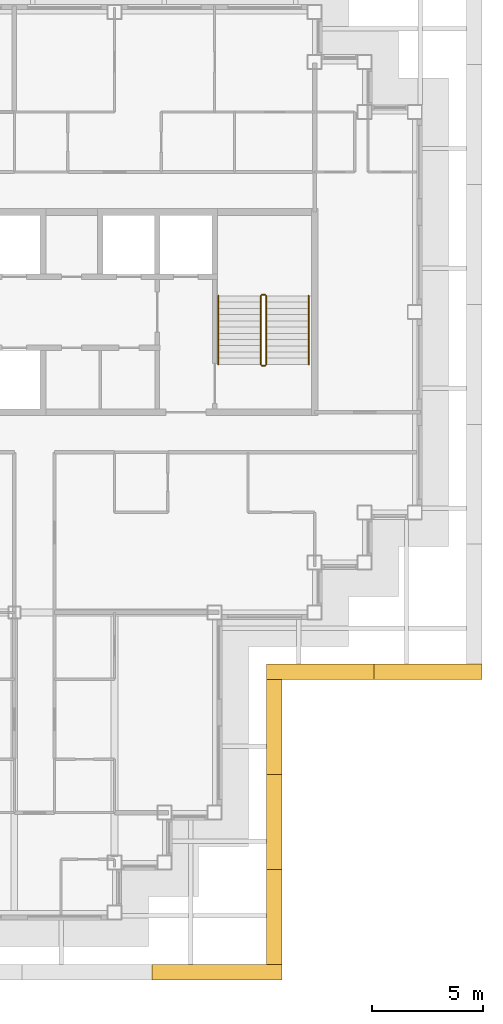
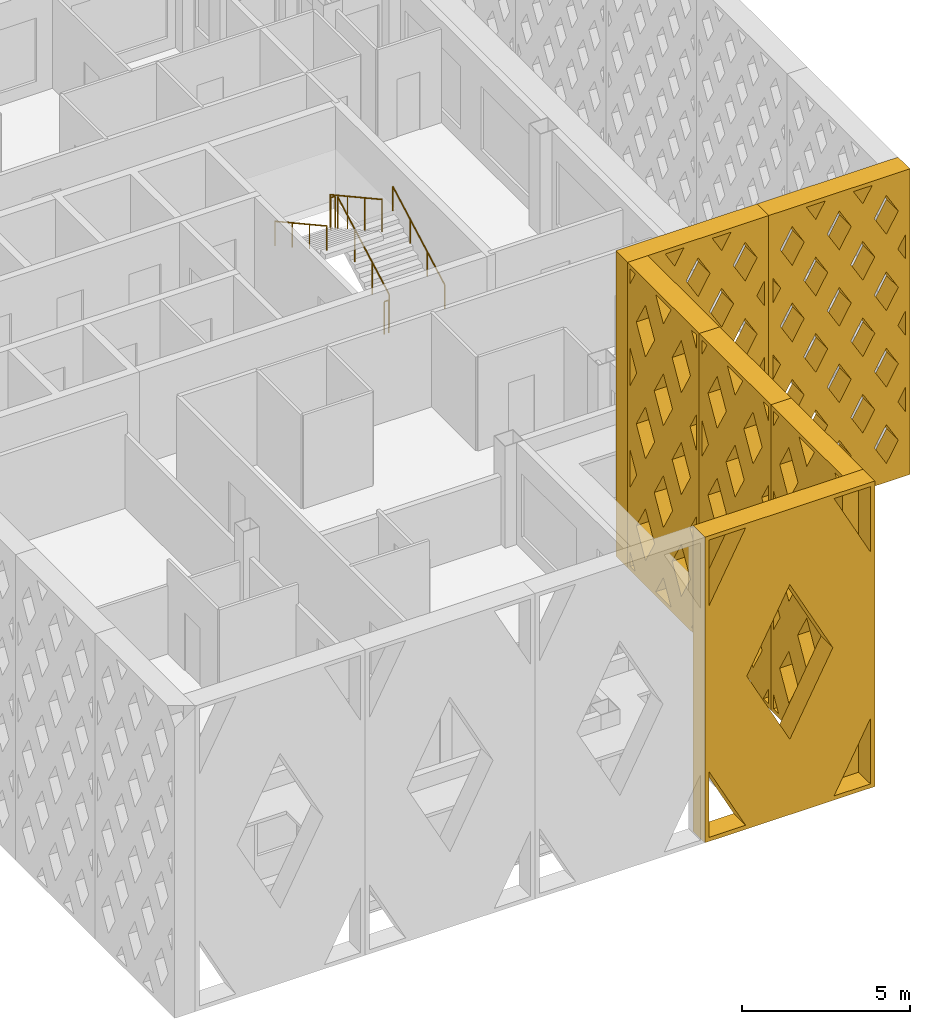
# One storey, part 14 of 17: 6 railings, 6 shading devices.
"""IFC4 building model written with IfcOpenShell, lengths in metres."""

from ifc_helpers import new_model, si_unit, direction, frame, origin, origin_2d, place, context, subcontext, project, spatial, polyline, circle, outline, extrude, material, type_object, element, save


model = new_model("IFC4")

# Units and contexts
model_context = context("Model", 3, precision=1e-05, world=origin(), true_north=direction((0.0, 1.0)))
body_context = subcontext(model_context, "Body", "Model", "MODEL_VIEW")
ifc_project = project(units=[si_unit("LENGTHUNIT", "METRE"), si_unit("AREAUNIT", "SQUARE_METRE"), si_unit("VOLUMEUNIT", "CUBIC_METRE"), si_unit("PLANEANGLEUNIT", "RADIAN"), si_unit("MASSUNIT", "GRAM", prefix="KILO")], contexts=[model_context])

# Site, building, storey
site_placement = place(None, origin())
site = spatial("IfcSite", under=ifc_project, at=site_placement, CompositionType="ELEMENT")
building_placement = place(site_placement, origin())
building = spatial("IfcBuilding", under=site, at=building_placement, Name="Caravel Reach Hotel and Residences", CompositionType="ELEMENT")
storey_placement = place(building_placement, frame((0.0, 0.0, 222.0)))
storey = spatial("IfcBuildingStorey", under=building, at=storey_placement, Name="L56", CompositionType="ELEMENT", Elevation=222.0)

# Shading devices
ifc_material_1 = material(Name="Black powder-coated aluminium", Category="aluminium")
shading_device_type_1 = type_object("IfcShadingDeviceType", Name="Diamond lattice screen panel 4267 x 11100", PredefinedType="USERDEFINED", material=ifc_material_1)
shading_device_1_placement = place(storey_placement, frame((42.824951171875, -2.324951171875, 0.0), z_axis=(1.0, 0.0, 0.0), x_axis=(0.0, 1.0, 0.0)))
element("IfcShadingDevice", 1, at=shading_device_1_placement, inside=storey, type_object=shading_device_type_1, Name="Lattice screen L56-L58 1.1", ObjectType="SCREEN", PredefinedType="USERDEFINED", context=body_context, shape_type="SweptSolid", body=[
    extrude(outline(polyline([(0.0, 0.0), (4.2666015625, 0.0), (4.2666015625, 11.10009765625), (0.0, 11.10009765625), (0.0, 0.0)]), holes=[polyline([(0.45947265625, 0.14990234375), (0.14990234375, 0.6865234375), (0.14990234375, 0.14990234375), (0.45947265625, 0.14990234375)]), polyline([(0.5458984375, 3.699951171875), (0.14990234375, 4.386474609375), (0.14990234375, 3.013427734375), (0.5458984375, 3.699951171875)]), polyline([(0.5458984375, 7.39990234375), (0.14990234375, 8.086669921875), (0.14990234375, 6.71337890625), (0.5458984375, 7.39990234375)]), polyline([(0.14990234375, 10.413330078125), (0.45947265625, 10.949951171875), (0.14990234375, 10.949951171875), (0.14990234375, 10.413330078125)]), polyline([(1.066650390625, 2.796630859375), (0.520751953125, 1.85009765625), (1.066650390625, 0.9033203125), (1.612548828125, 1.85009765625), (1.066650390625, 2.796630859375)]), polyline([(1.066650390625, 6.496826171875), (0.520751953125, 5.550048828125), (1.066650390625, 4.603271484375), (1.612548828125, 5.550048828125), (1.066650390625, 6.496826171875)]), polyline([(1.066650390625, 10.19677734375), (0.520751953125, 9.25), (1.066650390625, 8.30322265625), (1.612548828125, 9.25), (1.066650390625, 10.19677734375)]), polyline([(2.13330078125, 0.94677734375), (1.674072265625, 0.14990234375), (2.5927734375, 0.14990234375), (2.13330078125, 0.94677734375)]), polyline([(2.13330078125, 4.646728515625), (1.58740234375, 3.699951171875), (2.13330078125, 2.753173828125), (2.67919921875, 3.699951171875), (2.13330078125, 4.646728515625)]), polyline([(2.13330078125, 8.3466796875), (1.58740234375, 7.39990234375), (2.13330078125, 6.453369140625), (2.67919921875, 7.39990234375), (2.13330078125, 8.3466796875)]), polyline([(2.13330078125, 10.1533203125), (2.5927734375, 10.949951171875), (1.674072265625, 10.949951171875), (2.13330078125, 10.1533203125)]), polyline([(3.199951171875, 2.796630859375), (2.654052734375, 1.85009765625), (3.199951171875, 0.9033203125), (3.745849609375, 1.85009765625), (3.199951171875, 2.796630859375)]), polyline([(3.199951171875, 6.496826171875), (2.654052734375, 5.550048828125), (3.199951171875, 4.603271484375), (3.745849609375, 5.550048828125), (3.199951171875, 6.496826171875)]), polyline([(3.199951171875, 10.19677734375), (2.654052734375, 9.25), (3.199951171875, 8.30322265625), (3.745849609375, 9.25), (3.199951171875, 10.19677734375)]), polyline([(4.11669921875, 0.6865234375), (3.807373046875, 0.14990234375), (4.11669921875, 0.14990234375), (4.11669921875, 0.6865234375)]), polyline([(3.720703125, 3.699951171875), (4.11669921875, 3.013427734375), (4.11669921875, 4.386474609375), (3.720703125, 3.699951171875)]), polyline([(3.720703125, 7.39990234375), (4.11669921875, 6.71337890625), (4.11669921875, 8.086669921875), (3.720703125, 7.39990234375)]), polyline([(3.807373046875, 10.949951171875), (4.11669921875, 10.413330078125), (4.11669921875, 10.949951171875), (3.807373046875, 10.949951171875)])]), origin(), (0.0, 0.0, 1.0), 0.699951171875),
])
shading_device_2_placement = place(storey_placement, frame((42.824951171875, 1.941650390625, 0.0), z_axis=(1.0, 0.0, 0.0), x_axis=(0.0, 1.0, 0.0)))
element("IfcShadingDevice", 2, at=shading_device_2_placement, inside=storey, type_object=shading_device_type_1, Name="Lattice screen L56-L58 1.2", ObjectType="SCREEN", PredefinedType="USERDEFINED", context=body_context, shape_type="SweptSolid", body=[
    extrude(outline(polyline([(0.0, 0.0), (4.2666015625, 0.0), (4.2666015625, 11.10009765625), (0.0, 11.10009765625), (0.0, 0.0)]), holes=[polyline([(0.45947265625, 0.14990234375), (0.14990234375, 0.6865234375), (0.14990234375, 0.14990234375), (0.45947265625, 0.14990234375)]), polyline([(0.5458984375, 3.699951171875), (0.14990234375, 4.386474609375), (0.14990234375, 3.013427734375), (0.5458984375, 3.699951171875)]), polyline([(0.5458984375, 7.39990234375), (0.14990234375, 8.086669921875), (0.14990234375, 6.71337890625), (0.5458984375, 7.39990234375)]), polyline([(0.14990234375, 10.413330078125), (0.45947265625, 10.949951171875), (0.14990234375, 10.949951171875), (0.14990234375, 10.413330078125)]), polyline([(1.066650390625, 2.796630859375), (0.520751953125, 1.85009765625), (1.066650390625, 0.9033203125), (1.612548828125, 1.85009765625), (1.066650390625, 2.796630859375)]), polyline([(1.066650390625, 6.496826171875), (0.520751953125, 5.550048828125), (1.066650390625, 4.603271484375), (1.612548828125, 5.550048828125), (1.066650390625, 6.496826171875)]), polyline([(1.066650390625, 10.19677734375), (0.520751953125, 9.25), (1.066650390625, 8.30322265625), (1.612548828125, 9.25), (1.066650390625, 10.19677734375)]), polyline([(2.13330078125, 0.94677734375), (1.674072265625, 0.14990234375), (2.5927734375, 0.14990234375), (2.13330078125, 0.94677734375)]), polyline([(2.13330078125, 4.646728515625), (1.58740234375, 3.699951171875), (2.13330078125, 2.753173828125), (2.67919921875, 3.699951171875), (2.13330078125, 4.646728515625)]), polyline([(2.13330078125, 8.3466796875), (1.58740234375, 7.39990234375), (2.13330078125, 6.453369140625), (2.67919921875, 7.39990234375), (2.13330078125, 8.3466796875)]), polyline([(2.13330078125, 10.1533203125), (2.5927734375, 10.949951171875), (1.674072265625, 10.949951171875), (2.13330078125, 10.1533203125)]), polyline([(3.199951171875, 2.796630859375), (2.654052734375, 1.85009765625), (3.199951171875, 0.9033203125), (3.745849609375, 1.85009765625), (3.199951171875, 2.796630859375)]), polyline([(3.199951171875, 6.496826171875), (2.654052734375, 5.550048828125), (3.199951171875, 4.603271484375), (3.745849609375, 5.550048828125), (3.199951171875, 6.496826171875)]), polyline([(3.199951171875, 10.19677734375), (2.654052734375, 9.25), (3.199951171875, 8.30322265625), (3.745849609375, 9.25), (3.199951171875, 10.19677734375)]), polyline([(4.11669921875, 0.6865234375), (3.807373046875, 0.14990234375), (4.11669921875, 0.14990234375), (4.11669921875, 0.6865234375)]), polyline([(3.720703125, 3.699951171875), (4.11669921875, 3.013427734375), (4.11669921875, 4.386474609375), (3.720703125, 3.699951171875)]), polyline([(3.720703125, 7.39990234375), (4.11669921875, 6.71337890625), (4.11669921875, 8.086669921875), (3.720703125, 7.39990234375)]), polyline([(3.807373046875, 10.949951171875), (4.11669921875, 10.413330078125), (4.11669921875, 10.949951171875), (3.807373046875, 10.949951171875)])]), origin(), (0.0, 0.0, 1.0), 0.699951171875),
])
shading_device_3_placement = place(storey_placement, frame((42.824951171875, 6.208251953125, 0.0), z_axis=(1.0, 0.0, 0.0), x_axis=(0.0, 1.0, 0.0)))
element("IfcShadingDevice", 3, at=shading_device_3_placement, inside=storey, type_object=shading_device_type_1, Name="Lattice screen L56-L58 1.3", ObjectType="SCREEN", PredefinedType="USERDEFINED", context=body_context, shape_type="SweptSolid", body=[
    extrude(outline(polyline([(0.0, 0.0), (4.2666015625, 0.0), (4.2666015625, 11.10009765625), (0.0, 11.10009765625), (0.0, 0.0)]), holes=[polyline([(0.45947265625, 0.14990234375), (0.14990234375, 0.6865234375), (0.14990234375, 0.14990234375), (0.45947265625, 0.14990234375)]), polyline([(0.5458984375, 3.699951171875), (0.14990234375, 4.386474609375), (0.14990234375, 3.013427734375), (0.5458984375, 3.699951171875)]), polyline([(0.5458984375, 7.39990234375), (0.14990234375, 8.086669921875), (0.14990234375, 6.71337890625), (0.5458984375, 7.39990234375)]), polyline([(0.14990234375, 10.413330078125), (0.45947265625, 10.949951171875), (0.14990234375, 10.949951171875), (0.14990234375, 10.413330078125)]), polyline([(1.066650390625, 2.796630859375), (0.520751953125, 1.85009765625), (1.066650390625, 0.9033203125), (1.612548828125, 1.85009765625), (1.066650390625, 2.796630859375)]), polyline([(1.066650390625, 6.496826171875), (0.520751953125, 5.550048828125), (1.066650390625, 4.603271484375), (1.612548828125, 5.550048828125), (1.066650390625, 6.496826171875)]), polyline([(1.066650390625, 10.19677734375), (0.520751953125, 9.25), (1.066650390625, 8.30322265625), (1.612548828125, 9.25), (1.066650390625, 10.19677734375)]), polyline([(2.13330078125, 0.94677734375), (1.674072265625, 0.14990234375), (2.5927734375, 0.14990234375), (2.13330078125, 0.94677734375)]), polyline([(2.13330078125, 4.646728515625), (1.58740234375, 3.699951171875), (2.13330078125, 2.753173828125), (2.67919921875, 3.699951171875), (2.13330078125, 4.646728515625)]), polyline([(2.13330078125, 8.3466796875), (1.58740234375, 7.39990234375), (2.13330078125, 6.453369140625), (2.67919921875, 7.39990234375), (2.13330078125, 8.3466796875)]), polyline([(2.13330078125, 10.1533203125), (2.5927734375, 10.949951171875), (1.674072265625, 10.949951171875), (2.13330078125, 10.1533203125)]), polyline([(3.199951171875, 2.796630859375), (2.654052734375, 1.85009765625), (3.199951171875, 0.9033203125), (3.745849609375, 1.85009765625), (3.199951171875, 2.796630859375)]), polyline([(3.199951171875, 6.496826171875), (2.654052734375, 5.550048828125), (3.199951171875, 4.603271484375), (3.745849609375, 5.550048828125), (3.199951171875, 6.496826171875)]), polyline([(3.199951171875, 10.19677734375), (2.654052734375, 9.25), (3.199951171875, 8.30322265625), (3.745849609375, 9.25), (3.199951171875, 10.19677734375)]), polyline([(4.11669921875, 0.6865234375), (3.807373046875, 0.14990234375), (4.11669921875, 0.14990234375), (4.11669921875, 0.6865234375)]), polyline([(3.720703125, 3.699951171875), (4.11669921875, 3.013427734375), (4.11669921875, 4.386474609375), (3.720703125, 3.699951171875)]), polyline([(3.720703125, 7.39990234375), (4.11669921875, 6.71337890625), (4.11669921875, 8.086669921875), (3.720703125, 7.39990234375)]), polyline([(3.807373046875, 10.949951171875), (4.11669921875, 10.413330078125), (4.11669921875, 10.949951171875), (3.807373046875, 10.949951171875)])]), origin(), (0.0, 0.0, 1.0), 0.699951171875),
])
ifc_material_2 = material(Name="Black powder-coated aluminium", Category="aluminium")
shading_device_type_2 = type_object("IfcShadingDeviceType", Name="Diamond lattice screen panel 4850 x 11100", PredefinedType="USERDEFINED", material=ifc_material_2)
shading_device_4_placement = place(storey_placement, frame((42.824951171875, 11.175048828125, 0.0), z_axis=(0.0, -1.0, 0.0), x_axis=(1.0, 0.0, 0.0)))
element("IfcShadingDevice", 4, at=shading_device_4_placement, inside=storey, type_object=shading_device_type_2, Name="Lattice screen L56-L58 2.1", ObjectType="SCREEN", PredefinedType="USERDEFINED", context=body_context, shape_type="SweptSolid", body=[
    extrude(outline(polyline([(0.0, 0.0), (4.85009765625, 0.0), (4.85009765625, 11.10009765625), (0.0, 11.10009765625), (0.0, 0.0)]), holes=[polyline([(0.41064453125, 2.77490234375), (0.14990234375, 3.22265625), (0.14990234375, 2.327392578125), (0.41064453125, 2.77490234375)]), polyline([(0.41064453125, 5.550048828125), (0.14990234375, 5.99755859375), (0.14990234375, 5.1025390625), (0.41064453125, 5.550048828125)]), polyline([(0.41064453125, 8.324951171875), (0.14990234375, 8.7724609375), (0.14990234375, 7.87744140625), (0.41064453125, 8.324951171875)]), polyline([(0.808349609375, 2.092529296875), (0.397705078125, 1.387451171875), (0.808349609375, 0.682373046875), (1.218994140625, 1.387451171875), (0.808349609375, 2.092529296875)]), polyline([(0.808349609375, 4.867431640625), (0.397705078125, 4.16259765625), (0.808349609375, 3.45751953125), (1.218994140625, 4.16259765625), (0.808349609375, 4.867431640625)]), polyline([(0.808349609375, 7.642578125), (0.397705078125, 6.9375), (0.808349609375, 6.232421875), (1.218994140625, 6.9375), (0.808349609375, 7.642578125)]), polyline([(0.808349609375, 10.41748046875), (0.397705078125, 9.71240234375), (0.808349609375, 9.007568359375), (1.218994140625, 9.71240234375), (0.808349609375, 10.41748046875)]), polyline([(1.61669921875, 0.705078125), (1.293212890625, 0.14990234375), (1.93994140625, 0.14990234375), (1.61669921875, 0.705078125)]), polyline([(1.61669921875, 3.47998046875), (1.205810546875, 2.77490234375), (1.61669921875, 2.070068359375), (2.02734375, 2.77490234375), (1.61669921875, 3.47998046875)]), polyline([(1.61669921875, 6.255126953125), (1.205810546875, 5.550048828125), (1.61669921875, 4.844970703125), (2.02734375, 5.550048828125), (1.61669921875, 6.255126953125)]), polyline([(1.61669921875, 9.030029296875), (1.205810546875, 8.324951171875), (1.61669921875, 7.619873046875), (2.02734375, 8.324951171875), (1.61669921875, 9.030029296875)]), polyline([(1.61669921875, 10.39501953125), (1.93994140625, 10.949951171875), (1.293212890625, 10.949951171875), (1.61669921875, 10.39501953125)]), polyline([(2.425048828125, 2.092529296875), (2.01416015625, 1.387451171875), (2.425048828125, 0.682373046875), (2.835693359375, 1.387451171875), (2.425048828125, 2.092529296875)]), polyline([(2.425048828125, 4.867431640625), (2.01416015625, 4.16259765625), (2.425048828125, 3.45751953125), (2.835693359375, 4.16259765625), (2.425048828125, 4.867431640625)]), polyline([(2.425048828125, 7.642578125), (2.01416015625, 6.9375), (2.425048828125, 6.232421875), (2.835693359375, 6.9375), (2.425048828125, 7.642578125)]), polyline([(2.425048828125, 10.41748046875), (2.01416015625, 9.71240234375), (2.425048828125, 9.007568359375), (2.835693359375, 9.71240234375), (2.425048828125, 10.41748046875)]), polyline([(3.2333984375, 0.705078125), (2.909912109375, 0.14990234375), (3.556640625, 0.14990234375), (3.2333984375, 0.705078125)]), polyline([(3.2333984375, 3.47998046875), (2.822509765625, 2.77490234375), (3.2333984375, 2.070068359375), (3.64404296875, 2.77490234375), (3.2333984375, 3.47998046875)]), polyline([(3.2333984375, 6.255126953125), (2.822509765625, 5.550048828125), (3.2333984375, 4.844970703125), (3.64404296875, 5.550048828125), (3.2333984375, 6.255126953125)]), polyline([(3.2333984375, 9.030029296875), (2.822509765625, 8.324951171875), (3.2333984375, 7.619873046875), (3.64404296875, 8.324951171875), (3.2333984375, 9.030029296875)]), polyline([(3.2333984375, 10.39501953125), (3.556640625, 10.949951171875), (2.909912109375, 10.949951171875), (3.2333984375, 10.39501953125)]), polyline([(4.041748046875, 2.092529296875), (3.630859375, 1.387451171875), (4.041748046875, 0.682373046875), (4.452392578125, 1.387451171875), (4.041748046875, 2.092529296875)]), polyline([(4.041748046875, 4.867431640625), (3.630859375, 4.16259765625), (4.041748046875, 3.45751953125), (4.452392578125, 4.16259765625), (4.041748046875, 4.867431640625)]), polyline([(4.041748046875, 7.642578125), (3.630859375, 6.9375), (4.041748046875, 6.232421875), (4.452392578125, 6.9375), (4.041748046875, 7.642578125)]), polyline([(4.041748046875, 10.41748046875), (3.630859375, 9.71240234375), (4.041748046875, 9.007568359375), (4.452392578125, 9.71240234375), (4.041748046875, 10.41748046875)]), polyline([(4.439208984375, 2.77490234375), (4.699951171875, 2.327392578125), (4.699951171875, 3.22265625), (4.439208984375, 2.77490234375)]), polyline([(4.439208984375, 5.550048828125), (4.699951171875, 5.1025390625), (4.699951171875, 5.99755859375), (4.439208984375, 5.550048828125)]), polyline([(4.439208984375, 8.324951171875), (4.699951171875, 7.87744140625), (4.699951171875, 8.7724609375), (4.439208984375, 8.324951171875)])]), origin(), (0.0, 0.0, 1.0), 0.699951171875),
])
shading_device_5_placement = place(storey_placement, frame((47.675048828125, 11.175048828125, 0.0), z_axis=(0.0, -1.0, 0.0), x_axis=(1.0, 0.0, 0.0)))
element("IfcShadingDevice", 5, at=shading_device_5_placement, inside=storey, type_object=shading_device_type_2, Name="Lattice screen L56-L58 2.2", ObjectType="SCREEN", PredefinedType="USERDEFINED", context=body_context, shape_type="SweptSolid", body=[
    extrude(outline(polyline([(0.0, 0.0), (4.85009765625, 0.0), (4.85009765625, 11.10009765625), (0.0, 11.10009765625), (0.0, 0.0)]), holes=[polyline([(0.41064453125, 2.77490234375), (0.14990234375, 3.22265625), (0.14990234375, 2.327392578125), (0.41064453125, 2.77490234375)]), polyline([(0.41064453125, 5.550048828125), (0.14990234375, 5.99755859375), (0.14990234375, 5.1025390625), (0.41064453125, 5.550048828125)]), polyline([(0.41064453125, 8.324951171875), (0.14990234375, 8.7724609375), (0.14990234375, 7.87744140625), (0.41064453125, 8.324951171875)]), polyline([(0.808349609375, 2.092529296875), (0.397705078125, 1.387451171875), (0.808349609375, 0.682373046875), (1.218994140625, 1.387451171875), (0.808349609375, 2.092529296875)]), polyline([(0.808349609375, 4.867431640625), (0.397705078125, 4.16259765625), (0.808349609375, 3.45751953125), (1.218994140625, 4.16259765625), (0.808349609375, 4.867431640625)]), polyline([(0.808349609375, 7.642578125), (0.397705078125, 6.9375), (0.808349609375, 6.232421875), (1.218994140625, 6.9375), (0.808349609375, 7.642578125)]), polyline([(0.808349609375, 10.41748046875), (0.397705078125, 9.71240234375), (0.808349609375, 9.007568359375), (1.218994140625, 9.71240234375), (0.808349609375, 10.41748046875)]), polyline([(1.61669921875, 0.705078125), (1.293212890625, 0.14990234375), (1.93994140625, 0.14990234375), (1.61669921875, 0.705078125)]), polyline([(1.61669921875, 3.47998046875), (1.205810546875, 2.77490234375), (1.61669921875, 2.070068359375), (2.02734375, 2.77490234375), (1.61669921875, 3.47998046875)]), polyline([(1.61669921875, 6.255126953125), (1.205810546875, 5.550048828125), (1.61669921875, 4.844970703125), (2.02734375, 5.550048828125), (1.61669921875, 6.255126953125)]), polyline([(1.61669921875, 9.030029296875), (1.205810546875, 8.324951171875), (1.61669921875, 7.619873046875), (2.02734375, 8.324951171875), (1.61669921875, 9.030029296875)]), polyline([(1.61669921875, 10.39501953125), (1.93994140625, 10.949951171875), (1.293212890625, 10.949951171875), (1.61669921875, 10.39501953125)]), polyline([(2.425048828125, 2.092529296875), (2.01416015625, 1.387451171875), (2.425048828125, 0.682373046875), (2.835693359375, 1.387451171875), (2.425048828125, 2.092529296875)]), polyline([(2.425048828125, 4.867431640625), (2.01416015625, 4.16259765625), (2.425048828125, 3.45751953125), (2.835693359375, 4.16259765625), (2.425048828125, 4.867431640625)]), polyline([(2.425048828125, 7.642578125), (2.01416015625, 6.9375), (2.425048828125, 6.232421875), (2.835693359375, 6.9375), (2.425048828125, 7.642578125)]), polyline([(2.425048828125, 10.41748046875), (2.01416015625, 9.71240234375), (2.425048828125, 9.007568359375), (2.835693359375, 9.71240234375), (2.425048828125, 10.41748046875)]), polyline([(3.2333984375, 0.705078125), (2.909912109375, 0.14990234375), (3.556640625, 0.14990234375), (3.2333984375, 0.705078125)]), polyline([(3.2333984375, 3.47998046875), (2.822509765625, 2.77490234375), (3.2333984375, 2.070068359375), (3.64404296875, 2.77490234375), (3.2333984375, 3.47998046875)]), polyline([(3.2333984375, 6.255126953125), (2.822509765625, 5.550048828125), (3.2333984375, 4.844970703125), (3.64404296875, 5.550048828125), (3.2333984375, 6.255126953125)]), polyline([(3.2333984375, 9.030029296875), (2.822509765625, 8.324951171875), (3.2333984375, 7.619873046875), (3.64404296875, 8.324951171875), (3.2333984375, 9.030029296875)]), polyline([(3.2333984375, 10.39501953125), (3.556640625, 10.949951171875), (2.909912109375, 10.949951171875), (3.2333984375, 10.39501953125)]), polyline([(4.041748046875, 2.092529296875), (3.630859375, 1.387451171875), (4.041748046875, 0.682373046875), (4.452392578125, 1.387451171875), (4.041748046875, 2.092529296875)]), polyline([(4.041748046875, 4.867431640625), (3.630859375, 4.16259765625), (4.041748046875, 3.45751953125), (4.452392578125, 4.16259765625), (4.041748046875, 4.867431640625)]), polyline([(4.041748046875, 7.642578125), (3.630859375, 6.9375), (4.041748046875, 6.232421875), (4.452392578125, 6.9375), (4.041748046875, 7.642578125)]), polyline([(4.041748046875, 10.41748046875), (3.630859375, 9.71240234375), (4.041748046875, 9.007568359375), (4.452392578125, 9.71240234375), (4.041748046875, 10.41748046875)]), polyline([(4.439208984375, 2.77490234375), (4.699951171875, 2.327392578125), (4.699951171875, 3.22265625), (4.439208984375, 2.77490234375)]), polyline([(4.439208984375, 5.550048828125), (4.699951171875, 5.1025390625), (4.699951171875, 5.99755859375), (4.439208984375, 5.550048828125)]), polyline([(4.439208984375, 8.324951171875), (4.699951171875, 7.87744140625), (4.699951171875, 8.7724609375), (4.439208984375, 8.324951171875)])]), origin(), (0.0, 0.0, 1.0), 0.699951171875),
])
ifc_material_3 = material(Name="Black powder-coated aluminium", Category="aluminium")
shading_device_type_3 = type_object("IfcShadingDeviceType", Name="Diamond lattice screen panel 5838 x 11100", PredefinedType="USERDEFINED", material=ifc_material_3)
shading_device_6_placement = place(storey_placement, frame((37.6875, -2.324951171875, 0.0), z_axis=(0.0, -1.0, 0.0), x_axis=(1.0, 0.0, 0.0)))
element("IfcShadingDevice", 6, at=shading_device_6_placement, inside=storey, type_object=shading_device_type_3, Name="Lattice screen L56-L58 12.4", ObjectType="SCREEN", PredefinedType="USERDEFINED", context=body_context, shape_type="SweptSolid", body=[
    extrude(outline(polyline([(0.0, 0.0), (5.83740234375, 0.0), (5.83740234375, 11.10009765625), (0.0, 11.10009765625), (0.0, 0.0)]), holes=[polyline([(1.399658203125, 0.14990234375), (0.14990234375, 2.5263671875), (0.14990234375, 0.14990234375), (1.399658203125, 0.14990234375)]), polyline([(0.14990234375, 8.573486328125), (1.399658203125, 10.949951171875), (0.14990234375, 10.949951171875), (0.14990234375, 8.573486328125)]), polyline([(2.918701171875, 8.361572265625), (1.440185546875, 5.550048828125), (2.918701171875, 2.73828125), (4.3974609375, 5.550048828125), (2.918701171875, 8.361572265625)]), polyline([(5.6875, 2.5263671875), (4.437744140625, 0.14990234375), (5.6875, 0.14990234375), (5.6875, 2.5263671875)]), polyline([(4.437744140625, 10.949951171875), (5.6875, 8.573486328125), (5.6875, 10.949951171875), (4.437744140625, 10.949951171875)])]), origin(), (0.0, 0.0, 1.0), 0.699951171875),
])

# Railings
ifc_material_4 = material(Name="Steel balustrade with glass infill", Category="steel")
railing_type_1 = type_object("IfcRailingType", Name="Guard 1200", PredefinedType="GUARDRAIL", material=ifc_material_4)
railing_1_placement = place(storey_placement, frame((42.824951171875, 24.64990234375, 0.154052734375)))
element("IfcRailing", 7, at=railing_1_placement, inside=storey, type_object=railing_type_1, Name="L56 ST-B stair guard 1", PredefinedType="GUARDRAIL", context=body_context, shape_type="SweptSolid", body=[
    extrude(circle(Radius=0.02392578125, at=origin_2d()), frame((0.0, 0.0, 1.17578125), z_axis=(0.0, 0.875975380505, 0.482355815502), x_axis=(-1.0, 0.0, 0.0)), (0.0, 0.0, 1.0), 3.51611328125),
    extrude(circle(Radius=0.02099609375, at=origin_2d()), origin(), (0.0, 0.0, 1.0), 1.15185546875),
    extrude(circle(Radius=0.02099609375, at=origin_2d()), frame((0.0, 1.026611328125, 0.5654296875)), (0.0, 0.0, 1.0), 1.15185546875),
    extrude(circle(Radius=0.02099609375, at=origin_2d()), frame((0.0, 2.053466796875, 1.130615234375)), (0.0, 0.0, 1.0), 1.15185546875),
    extrude(circle(Radius=0.02099609375, at=origin_2d()), frame((0.0, 3.080078125, 1.696044921875)), (0.0, 0.0, 1.0), 1.15185546875),
])
railing_2_placement = place(storey_placement, frame((42.77490234375, 27.780029296875, 1.85009765625)))
element("IfcRailing", 8, at=railing_2_placement, inside=storey, type_object=railing_type_1, Name="L56 ST-B stair guard 2", PredefinedType="GUARDRAIL", context=body_context, shape_type="SweptSolid", body=[
    extrude(circle(Radius=0.02392578125, at=origin_2d()), frame((0.0, 0.0, 1.17578125), z_axis=(-1.0, 0.0, 0.0), x_axis=(0.0, -1.0, 0.0)), (0.0, 0.0, 1.0), 0.14990234375),
    extrude(circle(Radius=0.02099609375, at=origin_2d()), origin(), (0.0, 0.0, 1.0), 1.15185546875),
    extrude(circle(Radius=0.02099609375, at=origin_2d()), frame((-0.14990234375, 0.0, 0.0)), (0.0, 0.0, 1.0), 1.15185546875),
])
railing_3_placement = place(storey_placement, frame((42.574951171875, 27.72998046875, 2.004150390625)))
element("IfcRailing", 9, at=railing_3_placement, inside=storey, type_object=railing_type_1, Name="L56 ST-B stair guard 3", PredefinedType="GUARDRAIL", context=body_context, shape_type="SweptSolid", body=[
    extrude(circle(Radius=0.02392578125, at=origin_2d()), frame((0.0, 0.0, 1.17578125), z_axis=(0.0, -0.876004717809, 0.482302534076), x_axis=(1.0, 0.0, 0.0)), (0.0, 0.0, 1.0), 3.51611328125),
    extrude(circle(Radius=0.02099609375, at=origin_2d()), origin(), (0.0, 0.0, 1.0), 1.15185546875),
    extrude(circle(Radius=0.02099609375, at=origin_2d()), frame((0.0, -1.026611328125, 0.565185546875)), (0.0, 0.0, 1.0), 1.15185546875),
    extrude(circle(Radius=0.02099609375, at=origin_2d()), frame((0.0, -2.053466796875, 1.130615234375)), (0.0, 0.0, 1.0), 1.15185546875),
    extrude(circle(Radius=0.02099609375, at=origin_2d()), frame((0.0, -3.080078125, 1.69580078125)), (0.0, 0.0, 1.0), 1.15185546875),
])
railing_4_placement = place(storey_placement, frame((42.77490234375, 24.60009765625, 0.0)))
element("IfcRailing", 10, at=railing_4_placement, inside=storey, type_object=railing_type_1, Name="L56 ST-B stair guard 4", PredefinedType="GUARDRAIL", context=body_context, shape_type="SweptSolid", body=[
    extrude(circle(Radius=0.02392578125, at=origin_2d()), frame((0.0, 0.0, 1.17578125), z_axis=(-1.0, 0.0, 0.0), x_axis=(0.0, -1.0, 0.0)), (0.0, 0.0, 1.0), 0.14990234375),
    extrude(circle(Radius=0.02099609375, at=origin_2d()), origin(), (0.0, 0.0, 1.0), 1.15185546875),
    extrude(circle(Radius=0.02099609375, at=origin_2d()), frame((-0.14990234375, 0.0, 0.0)), (0.0, 0.0, 1.0), 1.15185546875),
])
ifc_material_5 = material(Name="Stainless steel handrail", Category="steel")
railing_type_2 = type_object("IfcRailingType", Name="Handrail 900", PredefinedType="HANDRAIL", material=ifc_material_5)
railing_5_placement = place(storey_placement, frame((44.72509765625, 24.64990234375, 0.154052734375)))
element("IfcRailing", 11, at=railing_5_placement, inside=storey, type_object=railing_type_2, Name="L56 ST-B stair handrail 1", PredefinedType="HANDRAIL", context=body_context, shape_type="SweptSolid", body=[
    extrude(circle(Radius=0.02392578125, at=origin_2d()), frame((0.0, 0.0, 0.8759765625), z_axis=(0.0, 0.875975380505, 0.482355815502), x_axis=(-1.0, 0.0, 0.0)), (0.0, 0.0, 1.0), 3.51611328125),
    extrude(circle(Radius=0.02099609375, at=origin_2d()), origin(), (0.0, 0.0, 1.0), 0.851806640625),
    extrude(circle(Radius=0.02099609375, at=origin_2d()), frame((0.0, 1.026611328125, 0.5654296875)), (0.0, 0.0, 1.0), 0.851806640625),
    extrude(circle(Radius=0.02099609375, at=origin_2d()), frame((0.0, 2.053466796875, 1.130615234375)), (0.0, 0.0, 1.0), 0.851806640625),
    extrude(circle(Radius=0.02099609375, at=origin_2d()), frame((0.0, 3.080078125, 1.696044921875)), (0.0, 0.0, 1.0), 0.851806640625),
])
railing_6_placement = place(storey_placement, frame((40.675048828125, 27.72998046875, 2.004150390625)))
element("IfcRailing", 12, at=railing_6_placement, inside=storey, type_object=railing_type_2, Name="L56 ST-B stair handrail 2", PredefinedType="HANDRAIL", context=body_context, shape_type="SweptSolid", body=[
    extrude(circle(Radius=0.02392578125, at=origin_2d()), frame((0.0, 0.0, 0.8759765625), z_axis=(0.0, -0.876004717809, 0.482302534076), x_axis=(1.0, 0.0, 0.0)), (0.0, 0.0, 1.0), 3.51611328125),
    extrude(circle(Radius=0.02099609375, at=origin_2d()), origin(), (0.0, 0.0, 1.0), 0.851806640625),
    extrude(circle(Radius=0.02099609375, at=origin_2d()), frame((0.0, -1.026611328125, 0.565185546875)), (0.0, 0.0, 1.0), 0.851806640625),
    extrude(circle(Radius=0.02099609375, at=origin_2d()), frame((0.0, -2.053466796875, 1.130615234375)), (0.0, 0.0, 1.0), 0.851806640625),
    extrude(circle(Radius=0.02099609375, at=origin_2d()), frame((0.0, -3.080078125, 1.69580078125)), (0.0, 0.0, 1.0), 0.851806640625),
])

save(model, "model.ifc")
